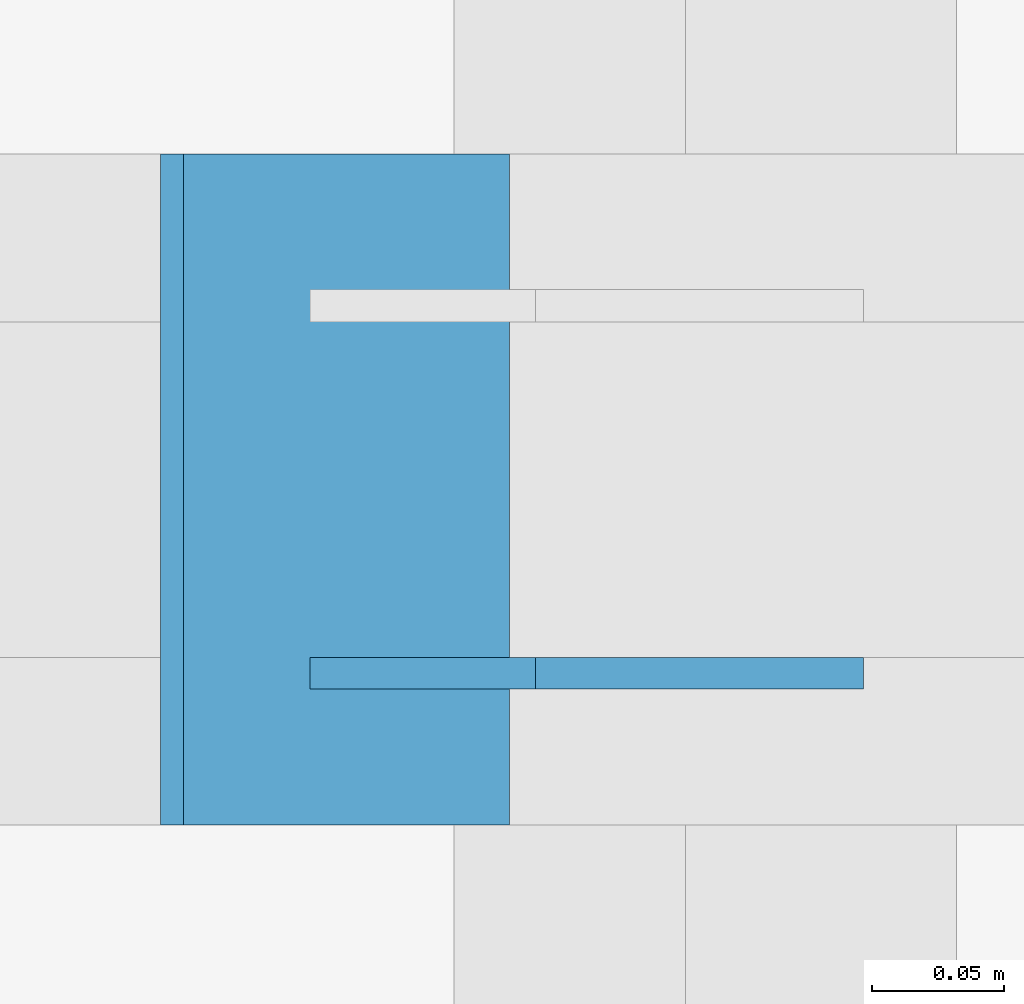
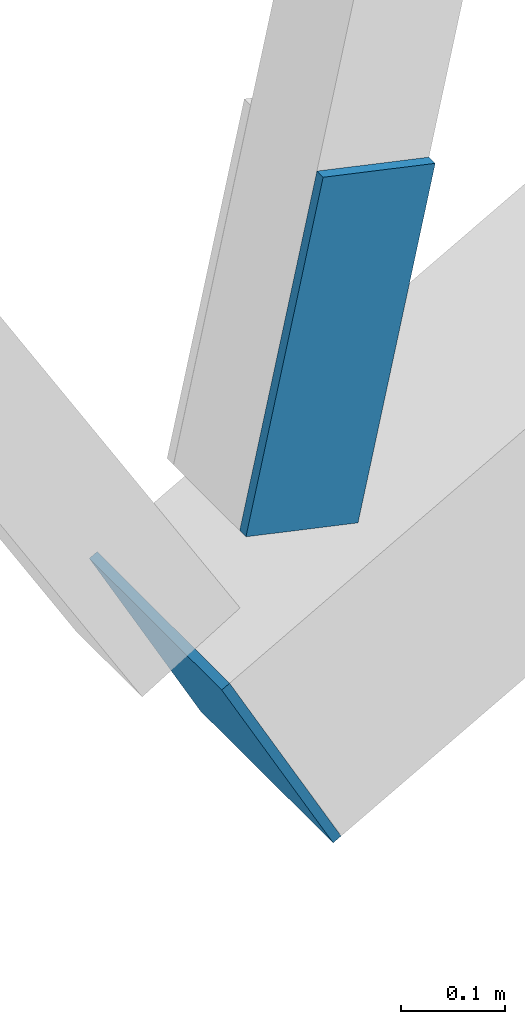
# One storey, part 105 of 127: 2 discrete accessories.
"""IFC4 building model written with IfcOpenShell, lengths in metres."""

from ifc_helpers import new_model, si_unit, direction, frame, origin, origin_2d, place, context, subcontext, project, spatial, rectangle, extrude, material, material_profile, profile_set, type_object, element, save


model = new_model("IFC4")

# Units and contexts
model_context = context("Model", 3, precision=1e-05, world=origin(), true_north=direction((0.0, 1.0)))
body_context = subcontext(model_context, "Body", "Model", "MODEL_VIEW")
ifc_project = project(units=[si_unit("LENGTHUNIT", "METRE"), si_unit("AREAUNIT", "SQUARE_METRE"), si_unit("VOLUMEUNIT", "CUBIC_METRE"), si_unit("PLANEANGLEUNIT", "RADIAN"), si_unit("MASSUNIT", "GRAM", prefix="KILO")], contexts=[model_context])

# Site, building, storey
site_placement = place(None, origin())
site = spatial("IfcSite", under=ifc_project, at=site_placement, CompositionType="ELEMENT")
building_placement = place(site_placement, origin())
building = spatial("IfcBuilding", under=site, at=building_placement, Name="Verrick Yard Athletic Hall", CompositionType="ELEMENT")
storey_placement = place(building_placement, frame((0.0, 0.0, 14.0)))
storey = spatial("IfcBuildingStorey", under=building, at=storey_placement, Name="L03", CompositionType="ELEMENT", Elevation=14.0)

# Discrete accessories
ifc_material = material(Name="Structural steel 350W (CSA G40.21)", Category="steel")
ifc_material_profile_1 = material_profile(ifc_material, rectangle(XDim=0.39990234375, YDim=0.126953125, at=origin_2d()), Name="Brace end cheek plate")
ifc_profile_set_1 = profile_set([ifc_material_profile_1], Name="Structural steel 350W (CSA G40.21)")
discrete_accessory_type_1 = type_object("IfcDiscreteAccessoryType", Name="Brace end cheek plate 400x127x12", PredefinedType="BRACKET", material=ifc_profile_set_1)
discrete_accessory_1_placement = place(storey_placement, frame((121.69091796875, 86.33642578125, 0.416015625), z_axis=(0.0, -1.0, 0.0), x_axis=(0.213605450371, 0.0, 0.976920012883)))
element("IfcDiscreteAccessory", 1, at=discrete_accessory_1_placement, inside=storey, type_object=discrete_accessory_type_1, Name="Truss web end plate TA3-1 2", PredefinedType="BRACKET", context=body_context, shape_type="SweptSolid", body=[
    extrude(rectangle(XDim=0.39990234375, YDim=0.126953125, at=origin_2d()), origin(), (0.0, 0.0, 1.0), 0.011962890625),
])
ifc_material_profile_2 = material_profile(ifc_material, rectangle(XDim=0.25390625, YDim=0.25390625, at=origin_2d()), Name="STR End cap plate 254x254x9.5")
ifc_profile_set_2 = profile_set([ifc_material_profile_2], Name="Structural steel 350W (CSA G40.21)")
discrete_accessory_type_2 = type_object("IfcDiscreteAccessoryType", Name="STR End cap plate 254x254x9.5", PredefinedType="BRACKET", material=ifc_profile_set_2)
discrete_accessory_2_placement = place(storey_placement, frame((121.59130859375, 86.39990234375, -0.0048828125), z_axis=(0.874157276122, 0.0, 0.485642931179), x_axis=(0.0, 1.0, 0.0)))
element("IfcDiscreteAccessory", 2, at=discrete_accessory_2_placement, inside=storey, type_object=discrete_accessory_type_2, Name="End cap Truss TA3 bottom chord 1 A", PredefinedType="BRACKET", context=body_context, shape_type="SweptSolid", body=[
    extrude(rectangle(XDim=0.25390625, YDim=0.25390625, at=origin_2d()), origin(), (0.0, 0.0, 1.0), 0.010009765625),
])

save(model, "model.ifc")
